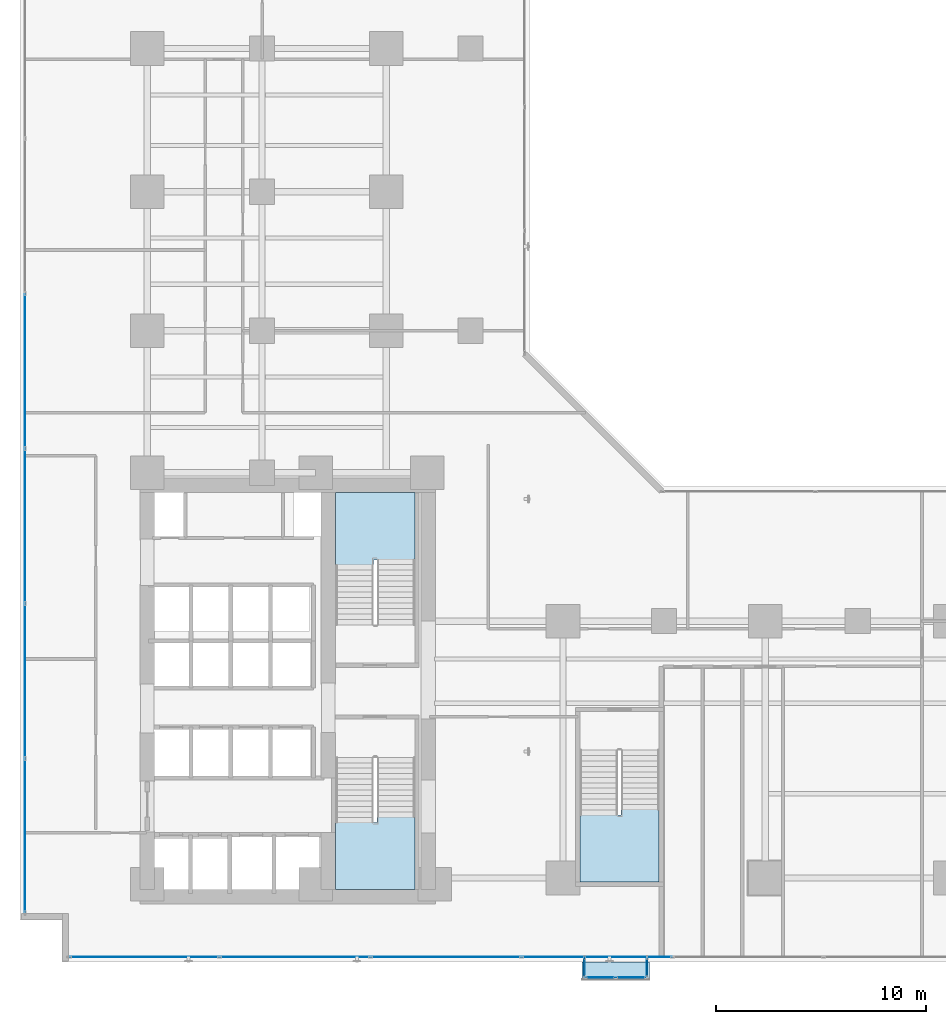
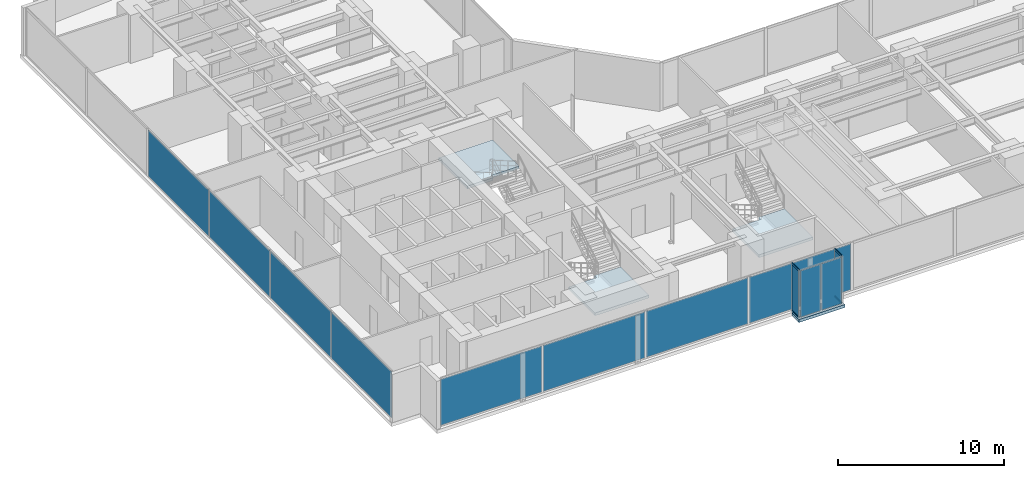
# One storey, part 20 of 27: 12 plates, 4 members, 4 slabs, 8 elements without a shape of their own.
"""IFC4 building model written with IfcOpenShell, lengths in metres."""

from ifc_helpers import new_model, si_unit, direction, frame, origin, origin_with_axes, origin_2d, place, context, subcontext, project, spatial, polyline, rectangle, hollow_rectangle, outline, extrude, source, transform, mapped, material, layer, layer_set, material_profile, profile_set, type_object, element, aggregate, save


model = new_model("IFC4")

# Units and contexts
model_context = context("Model", 3, precision=1e-05, world=origin(), true_north=direction((0.0, 1.0)))
body_context = subcontext(model_context, "Body", "Model", "MODEL_VIEW")
ifc_project = project(units=[si_unit("LENGTHUNIT", "METRE"), si_unit("AREAUNIT", "SQUARE_METRE"), si_unit("VOLUMEUNIT", "CUBIC_METRE"), si_unit("PLANEANGLEUNIT", "RADIAN"), si_unit("MASSUNIT", "GRAM", prefix="KILO")], contexts=[model_context])

# Site, building, storey
site_placement = place(None, origin())
site = spatial("IfcSite", under=ifc_project, at=site_placement, CompositionType="ELEMENT")
building_placement = place(site_placement, origin())
building = spatial("IfcBuilding", under=site, at=building_placement, Name="Kolvaren Waterfront Exchange", CompositionType="ELEMENT")
storey_placement = place(building_placement, frame((0.0, 0.0, 33.39990234375)))
storey = spatial("IfcBuildingStorey", under=building, at=storey_placement, Name="L08", CompositionType="ELEMENT", Elevation=33.39990234375)

# Curtain wall, members
ifc_material_1 = material(Name="Anodised bronze aluminium 6063-T6", Category="aluminium")
ifc_layer_1 = layer(ifc_material_1, 0.219970703125, Name="Anodised bronze aluminium 6063-T6")
ifc_layer_set_1 = layer_set([ifc_layer_1], Name="Anodised bronze aluminium 6063-T6")
curtain_wall_type_1 = type_object("IfcCurtainWallType", Name="ARC-CW-SYS3", PredefinedType="USERDEFINED", material=ifc_layer_set_1)
curtain_wall_1_placement = place(storey_placement, origin())
curtain_wall_1 = element("IfcCurtainWall", 1, at=curtain_wall_1_placement, inside=storey, type_object=curtain_wall_type_1, Name="L08 stick curtain wall CW3 (CW-L08-BOX-W)", ObjectType="STICK CURTAIN WALL", PredefinedType="USERDEFINED")
ifc_material_profile = material_profile(ifc_material_1, hollow_rectangle(XDim=0.06494140625, YDim=0.1298828125, WallThickness=0.00390625, at=origin_2d()), Name="ALU-TRN-130x65x4")
ifc_profile_set = profile_set([ifc_material_profile], Name="Anodised bronze aluminium 6063-T6")
member_type = type_object("IfcMemberType", Name="ARC-CWT-130", PredefinedType="USERDEFINED", material=ifc_profile_set)
shared_shape_1 = source(origin_with_axes(), body_context, "Body", "SweptSolid", [
    extrude(hollow_rectangle(XDim=0.06494140625, YDim=0.1298828125, WallThickness=0.00390625, at=origin_2d()), origin(), (0.0, 0.0, 1.0), 0.830078125),
])
member_1_placement = place(storey_placement, frame((28.2099609375, 1.364990234375, 0.03271484375), z_axis=(0.0, -1.0, 0.0), x_axis=(1.0, 0.0, 0.0)))
member_1 = element("IfcMember", 2, at=member_1_placement, type_object=member_type, Name="CW3 transom 1.1", ObjectType="TRANSOM", PredefinedType="USERDEFINED", context=body_context, shape_type="MappedRepresentation", body=[
    mapped(shared_shape_1, transform((0.0, 0.0, 0.0), x_axis=(1.0, 0.0, 0.0), y_axis=(0.0, 1.0, 0.0), z_axis=(0.0, 0.0, 1.0), scale=1.0)),
])
member_2_placement = place(storey_placement, frame((28.2099609375, 1.364990234375, 3.507568359375), z_axis=(0.0, -1.0, 0.0), x_axis=(1.0, 0.0, 0.0)))
member_2 = element("IfcMember", 3, at=member_2_placement, type_object=member_type, Name="CW3 transom 1.2", ObjectType="TRANSOM", PredefinedType="USERDEFINED", context=body_context, shape_type="MappedRepresentation", body=[
    mapped(shared_shape_1, transform((0.0, 0.0, 0.0), x_axis=(1.0, 0.0, 0.0), y_axis=(0.0, 1.0, 0.0), z_axis=(0.0, 0.0, 1.0), scale=1.0)),
])

curtain_wall_2_placement = place(storey_placement, origin())
curtain_wall_2 = element("IfcCurtainWall", 4, at=curtain_wall_2_placement, inside=storey, type_object=curtain_wall_type_1, Name="L08 stick curtain wall CW3 (CW-L08-BOX-E)", ObjectType="STICK CURTAIN WALL", PredefinedType="USERDEFINED")
member_3_placement = place(storey_placement, frame((31.18994140625, 0.534912109375, 0.03271484375), z_axis=(0.0, 1.0, 0.0), x_axis=(-1.0, 0.0, 0.0)))
member_3 = element("IfcMember", 5, at=member_3_placement, type_object=member_type, Name="CW3 transom 1.1", ObjectType="TRANSOM", PredefinedType="USERDEFINED", context=body_context, shape_type="MappedRepresentation", body=[
    mapped(shared_shape_1, transform((0.0, 0.0, 0.0), x_axis=(1.0, 0.0, 0.0), y_axis=(0.0, 1.0, 0.0), z_axis=(0.0, 0.0, 1.0), scale=1.0)),
])
member_4_placement = place(storey_placement, frame((31.18994140625, 0.534912109375, 3.507568359375), z_axis=(0.0, 1.0, 0.0), x_axis=(-1.0, 0.0, 0.0)))
member_4 = element("IfcMember", 6, at=member_4_placement, type_object=member_type, Name="CW3 transom 1.2", ObjectType="TRANSOM", PredefinedType="USERDEFINED", context=body_context, shape_type="MappedRepresentation", body=[
    mapped(shared_shape_1, transform((0.0, 0.0, 0.0), x_axis=(1.0, 0.0, 0.0), y_axis=(0.0, 1.0, 0.0), z_axis=(0.0, 0.0, 1.0), scale=1.0)),
])

# Stair, slab
ifc_material_2 = material(Name="Concrete C40/50", Category="concrete")
stair_type = type_object("IfcStairType", Name="ARC-STAIR-3800", PredefinedType="HALF_TURN_STAIR", material=ifc_material_2)
stair_1_placement = place(storey_placement, origin())
stair_1 = element("IfcStair", 7, at=stair_1_placement, inside=storey, type_object=stair_type, Name="L08 Smoke-proof exit stair ST1", PredefinedType="HALF_TURN_STAIR")
ifc_layer_2 = layer(ifc_material_2, 0.199951171875, Name="Concrete C40/50")
ifc_layer_set_2 = layer_set([ifc_layer_2], Name="Concrete C40/50")
slab_type_1 = type_object("IfcSlabType", Name="STR-LANDING-200", PredefinedType="LANDING", material=ifc_layer_set_2)
slab_1_placement = place(storey_placement, frame((0.0, 0.0, 1.776123046875)))
slab_1 = element("IfcSlab", 8, at=slab_1_placement, type_object=slab_type_1, Name="ST1 landing 1", PredefinedType="LANDING", context=body_context, shape_type="SweptSolid", body=[
    extrude(outline(polyline([(16.39990234375, 7.840087890625), (16.39990234375, 4.64990234375), (20.159912109375, 4.64990234375), (20.159912109375, 8.10009765625), (18.360107421875, 8.10009765625), (18.360107421875, 7.840087890625), (16.39990234375, 7.840087890625)])), origin(), (0.0, 0.0, 1.0), 0.199951171875),
])
aggregate(stair_1, [slab_1])

stair_2_placement = place(storey_placement, origin())
stair_2 = element("IfcStair", 9, at=stair_2_placement, inside=storey, type_object=stair_type, Name="L08 Smoke-proof exit stair ST2", PredefinedType="HALF_TURN_STAIR")
slab_2_placement = place(storey_placement, frame((0.0, 0.0, 1.776123046875)))
slab_2 = element("IfcSlab", 10, at=slab_2_placement, type_object=slab_type_1, Name="ST2 landing 1", PredefinedType="LANDING", context=body_context, shape_type="SweptSolid", body=[
    extrude(outline(polyline([(20.159912109375, 20.31005859375), (20.159912109375, 23.5), (16.39990234375, 23.5), (16.39990234375, 20.050048828125), (18.199951171875, 20.050048828125), (18.199951171875, 20.31005859375), (20.159912109375, 20.31005859375)])), origin(), (0.0, 0.0, 1.0), 0.199951171875),
])
aggregate(stair_2, [slab_2])

stair_3_placement = place(storey_placement, origin())
stair_3 = element("IfcStair", 11, at=stair_3_placement, inside=storey, type_object=stair_type, Name="L08 Exit stair ST3", PredefinedType="HALF_TURN_STAIR")
slab_3_placement = place(storey_placement, frame((0.0, 0.0, 1.776123046875)))
slab_3 = element("IfcSlab", 12, at=slab_3_placement, type_object=slab_type_1, Name="ST3 landing 1", PredefinedType="LANDING", context=body_context, shape_type="SweptSolid", body=[
    extrude(outline(polyline([(28.0, 8.18994140625), (28.0, 5.0), (31.760009765625, 5.0), (31.760009765625, 8.449951171875), (29.9599609375, 8.449951171875), (29.9599609375, 8.18994140625), (28.0, 8.18994140625)])), origin(), (0.0, 0.0, 1.0), 0.199951171875),
])
aggregate(stair_3, [slab_3])

# Slab
ifc_layer_3 = layer(ifc_material_2, 0.219970703125, Name="Concrete C40/50")
ifc_layer_set_3 = layer_set([ifc_layer_3], Name="Concrete C40/50")
slab_type_2 = type_object("IfcSlabType", Name="STR-TERR-220", PredefinedType="FLOOR", material=ifc_layer_set_3)
slab_4_placement = place(storey_placement, frame((0.0, 0.0, -0.219970703125)))
element("IfcSlab", 13, at=slab_4_placement, inside=storey, type_object=slab_type_2, Name="L08 projecting bay-box floor strip", PredefinedType="FLOOR", context=body_context, shape_type="SweptSolid", body=[
    extrude(outline(polyline([(28.10009765625, 0.35009765625), (31.300048828125, 0.35009765625), (31.300048828125, 1.199951171875), (28.10009765625, 1.199951171875), (28.10009765625, 0.35009765625)])), origin(), (0.0, 0.0, 1.0), 0.219970703125),
])

# Curtain wall, plates
ifc_layer_4 = layer(ifc_material_1, 0.219970703125, Name="Anodised bronze aluminium 6063-T6")
ifc_layer_set_4 = layer_set([ifc_layer_4], Name="Anodised bronze aluminium 6063-T6")
curtain_wall_type_2 = type_object("IfcCurtainWallType", Name="ARC-CW-SYS1", PredefinedType="USERDEFINED", material=ifc_layer_set_4)
curtain_wall_3_placement = place(storey_placement, origin())
curtain_wall_3 = element("IfcCurtainWall", 14, at=curtain_wall_3_placement, inside=storey, type_object=curtain_wall_type_2, Name="L08 stick curtain wall CW1 (CW-L08-S)", ObjectType="STICK CURTAIN WALL", PredefinedType="USERDEFINED")
ifc_material_3 = material(Name="Bronze solar control vision glass", Category="aluminium")
ifc_layer_5 = layer(ifc_material_3, 0.028076171875, Name="Bronze solar control vision glass")
ifc_layer_set_5 = layer_set([ifc_layer_5], Name="Bronze solar control vision glass")
plate_type_1 = type_object("IfcPlateType", Name="ARC-CWP-28", PredefinedType="CURTAIN_PANEL", material=ifc_layer_set_5)
shared_shape_2 = source(origin_with_axes(), body_context, "Body", "SweptSolid", [
    extrude(rectangle(XDim=7.054931640625, YDim=0.028076171875, at=origin_2d()), origin(), (0.0, 0.0, 1.0), 3.389892578125),
])
plate_1_placement = place(storey_placement, frame((7.3076171875, 1.43994140625, 0.0751953125), z_axis=(0.0, 0.0, 1.0), x_axis=(1.0, 0.0, 0.0)))
plate_1 = element("IfcPlate", 15, at=plate_1_placement, type_object=plate_type_1, Name="CW1 panel 1.1", PredefinedType="CURTAIN_PANEL", context=body_context, shape_type="MappedRepresentation", body=[
    mapped(shared_shape_2, transform((0.0, 0.0, 0.0), x_axis=(1.0, 0.0, 0.0), y_axis=(0.0, 1.0, 0.0), z_axis=(0.0, 0.0, 1.0), scale=1.0)),
])
shared_shape_3 = source(origin_with_axes(), body_context, "Body", "SweptSolid", [
    extrude(rectangle(XDim=7.094970703125, YDim=0.028076171875, at=origin_2d()), origin(), (0.0, 0.0, 1.0), 3.389892578125),
])
plate_2_placement = place(storey_placement, frame((14.46240234375, 1.43994140625, 0.0751953125), z_axis=(0.0, 0.0, 1.0), x_axis=(1.0, 0.0, 0.0)))
plate_2 = element("IfcPlate", 16, at=plate_2_placement, type_object=plate_type_1, Name="CW1 panel 2.1", PredefinedType="CURTAIN_PANEL", context=body_context, shape_type="MappedRepresentation", body=[
    mapped(shared_shape_3, transform((0.0, 0.0, 0.0), x_axis=(1.0, 0.0, 0.0), y_axis=(0.0, 1.0, 0.0), z_axis=(0.0, 0.0, 1.0), scale=1.0)),
])
plate_3_placement = place(storey_placement, frame((21.637451171875, 1.43994140625, 0.0751953125), z_axis=(0.0, 0.0, 1.0), x_axis=(1.0, 0.0, 0.0)))
plate_3 = element("IfcPlate", 17, at=plate_3_placement, type_object=plate_type_1, Name="CW1 panel 3.1", PredefinedType="CURTAIN_PANEL", context=body_context, shape_type="MappedRepresentation", body=[
    mapped(shared_shape_3, transform((0.0, 0.0, 0.0), x_axis=(1.0, 0.0, 0.0), y_axis=(0.0, 1.0, 0.0), z_axis=(0.0, 0.0, 1.0), scale=1.0)),
])
plate_4_placement = place(storey_placement, frame((28.8125, 1.43994140625, 0.0751953125), z_axis=(0.0, 0.0, 1.0), x_axis=(1.0, 0.0, 0.0)))
plate_4 = element("IfcPlate", 18, at=plate_4_placement, type_object=plate_type_1, Name="CW1 panel 4.1", PredefinedType="CURTAIN_PANEL", context=body_context, shape_type="MappedRepresentation", body=[
    mapped(shared_shape_3, transform((0.0, 0.0, 0.0), x_axis=(1.0, 0.0, 0.0), y_axis=(0.0, 1.0, 0.0), z_axis=(0.0, 0.0, 1.0), scale=1.0)),
])
aggregate(curtain_wall_3, [plate_1, plate_2, plate_3, plate_4])

ifc_material_4 = material(Name="Anodised aluminium 6063-T6", Category="aluminium")
ifc_layer_6 = layer(ifc_material_4, 0.219970703125, Name="Anodised aluminium 6063-T6")
ifc_layer_set_6 = layer_set([ifc_layer_6], Name="Anodised aluminium 6063-T6")
curtain_wall_type_3 = type_object("IfcCurtainWallType", Name="ARC-CW-SYS2", PredefinedType="USERDEFINED", material=ifc_layer_set_6)
curtain_wall_4_placement = place(storey_placement, origin())
curtain_wall_4 = element("IfcCurtainWall", 19, at=curtain_wall_4_placement, inside=storey, type_object=curtain_wall_type_3, Name="L08 stick curtain wall CW2 (CW-L08-W)", ObjectType="STICK CURTAIN WALL", PredefinedType="USERDEFINED")
ifc_material_5 = material(Name="Acoustic laminated vision glass", Category="glass")
ifc_layer_7 = layer(ifc_material_5, 0.031982421875, Name="Acoustic laminated vision glass")
ifc_layer_set_7 = layer_set([ifc_layer_7], Name="Acoustic laminated vision glass")
plate_type_2 = type_object("IfcPlateType", Name="ARC-CWP-32", PredefinedType="CURTAIN_PANEL", material=ifc_layer_set_7)
shared_shape_4 = source(origin_with_axes(), body_context, "Body", "SweptSolid", [
    extrude(rectangle(XDim=7.24658203125, YDim=0.031982421875, at=origin_2d()), origin(), (0.0, 0.0, 1.0), 3.389892578125),
])
plate_5_placement = place(storey_placement, frame((1.639892578125, 7.203369140625, 0.0751953125), z_axis=(0.0, 0.0, 1.0), x_axis=(0.0, 1.0, 0.0)))
plate_5 = element("IfcPlate", 20, at=plate_5_placement, type_object=plate_type_2, Name="CW2 panel 1.1", PredefinedType="CURTAIN_PANEL", context=body_context, shape_type="MappedRepresentation", body=[
    mapped(shared_shape_4, transform((0.0, 0.0, 0.0), x_axis=(1.0, 0.0, 0.0), y_axis=(0.0, 1.0, 0.0), z_axis=(0.0, 0.0, 1.0), scale=1.0)),
])
shared_shape_5 = source(origin_with_axes(), body_context, "Body", "SweptSolid", [
    extrude(rectangle(XDim=7.28662109375, YDim=0.031982421875, at=origin_2d()), origin(), (0.0, 0.0, 1.0), 3.389892578125),
])
plate_6_placement = place(storey_placement, frame((1.639892578125, 14.550048828125, 0.0751953125), z_axis=(0.0, 0.0, 1.0), x_axis=(0.0, 1.0, 0.0)))
plate_6 = element("IfcPlate", 21, at=plate_6_placement, type_object=plate_type_2, Name="CW2 panel 2.1", PredefinedType="CURTAIN_PANEL", context=body_context, shape_type="MappedRepresentation", body=[
    mapped(shared_shape_5, transform((0.0, 0.0, 0.0), x_axis=(1.0, 0.0, 0.0), y_axis=(0.0, 1.0, 0.0), z_axis=(0.0, 0.0, 1.0), scale=1.0)),
])
plate_7_placement = place(storey_placement, frame((1.639892578125, 21.916748046875, 0.0751953125), z_axis=(0.0, 0.0, 1.0), x_axis=(0.0, 1.0, 0.0)))
plate_7 = element("IfcPlate", 22, at=plate_7_placement, type_object=plate_type_2, Name="CW2 panel 3.1", PredefinedType="CURTAIN_PANEL", context=body_context, shape_type="MappedRepresentation", body=[
    mapped(shared_shape_5, transform((0.0, 0.0, 0.0), x_axis=(1.0, 0.0, 0.0), y_axis=(0.0, 1.0, 0.0), z_axis=(0.0, 0.0, 1.0), scale=1.0)),
])
plate_8_placement = place(storey_placement, frame((1.639892578125, 29.283447265625, 0.0751953125), z_axis=(0.0, 0.0, 1.0), x_axis=(0.0, 1.0, 0.0)))
plate_8 = element("IfcPlate", 23, at=plate_8_placement, type_object=plate_type_2, Name="CW2 panel 4.1", PredefinedType="CURTAIN_PANEL", context=body_context, shape_type="MappedRepresentation", body=[
    mapped(shared_shape_5, transform((0.0, 0.0, 0.0), x_axis=(1.0, 0.0, 0.0), y_axis=(0.0, 1.0, 0.0), z_axis=(0.0, 0.0, 1.0), scale=1.0)),
])
aggregate(curtain_wall_4, [plate_5, plate_6, plate_7, plate_8])

# Plate
ifc_material_6 = material(Name="Bronze tinted bay-box vision glass", Category="aluminium")
ifc_layer_8 = layer(ifc_material_6, 0.02392578125, Name="Bronze tinted bay-box vision glass")
ifc_layer_set_8 = layer_set([ifc_layer_8], Name="Bronze tinted bay-box vision glass")
plate_type_3 = type_object("IfcPlateType", Name="ARC-CWP-24", PredefinedType="CURTAIN_PANEL", material=ifc_layer_set_8)
shared_shape_6 = source(origin_with_axes(), body_context, "Body", "SweptSolid", [
    extrude(rectangle(XDim=0.830078125, YDim=0.02392578125, at=origin_2d()), origin(), (0.0, 0.0, 1.0), 3.409912109375),
])
plate_9_placement = place(storey_placement, frame((28.2099609375, 0.949951171875, 0.06494140625), z_axis=(0.0, 0.0, 1.0), x_axis=(0.0, -1.0, 0.0)))
plate_9 = element("IfcPlate", 24, at=plate_9_placement, type_object=plate_type_3, Name="CW3 panel 1.1", PredefinedType="CURTAIN_PANEL", context=body_context, shape_type="MappedRepresentation", body=[
    mapped(shared_shape_6, transform((0.0, 0.0, 0.0), x_axis=(1.0, 0.0, 0.0), y_axis=(0.0, 1.0, 0.0), z_axis=(0.0, 0.0, 1.0), scale=1.0)),
])

aggregate(curtain_wall_1, [member_1, member_2, plate_9])

plate_10_placement = place(storey_placement, frame((31.18994140625, 0.949951171875, 0.06494140625), z_axis=(0.0, 0.0, 1.0), x_axis=(0.0, 1.0, 0.0)))
plate_10 = element("IfcPlate", 25, at=plate_10_placement, type_object=plate_type_3, Name="CW3 panel 1.1", PredefinedType="CURTAIN_PANEL", context=body_context, shape_type="MappedRepresentation", body=[
    mapped(shared_shape_6, transform((0.0, 0.0, 0.0), x_axis=(1.0, 0.0, 0.0), y_axis=(0.0, 1.0, 0.0), z_axis=(0.0, 0.0, 1.0), scale=1.0)),
])

aggregate(curtain_wall_2, [member_3, member_4, plate_10])

# Curtain wall, plates
curtain_wall_5_placement = place(storey_placement, origin())
curtain_wall_5 = element("IfcCurtainWall", 26, at=curtain_wall_5_placement, inside=storey, type_object=curtain_wall_type_1, Name="L08 stick curtain wall CW3 (CW-L08-BOX)", ObjectType="STICK CURTAIN WALL", PredefinedType="USERDEFINED")
shared_shape_7 = source(origin_with_axes(), body_context, "Body", "SweptSolid", [
    extrude(rectangle(XDim=1.37744140625, YDim=0.02392578125, at=origin_2d()), origin(), (0.0, 0.0, 1.0), 3.409912109375),
])
plate_11_placement = place(storey_placement, frame((28.9736328125, 0.4599609375, 0.06494140625), z_axis=(0.0, 0.0, 1.0), x_axis=(1.0, 0.0, 0.0)))
plate_11 = element("IfcPlate", 27, at=plate_11_placement, type_object=plate_type_3, Name="CW3 panel 1.1", PredefinedType="CURTAIN_PANEL", context=body_context, shape_type="MappedRepresentation", body=[
    mapped(shared_shape_7, transform((0.0, 0.0, 0.0), x_axis=(1.0, 0.0, 0.0), y_axis=(0.0, 1.0, 0.0), z_axis=(0.0, 0.0, 1.0), scale=1.0)),
])
plate_12_placement = place(storey_placement, frame((30.42626953125, 0.4599609375, 0.06494140625), z_axis=(0.0, 0.0, 1.0), x_axis=(1.0, 0.0, 0.0)))
plate_12 = element("IfcPlate", 28, at=plate_12_placement, type_object=plate_type_3, Name="CW3 panel 2.1", PredefinedType="CURTAIN_PANEL", context=body_context, shape_type="MappedRepresentation", body=[
    mapped(shared_shape_7, transform((0.0, 0.0, 0.0), x_axis=(1.0, 0.0, 0.0), y_axis=(0.0, 1.0, 0.0), z_axis=(0.0, 0.0, 1.0), scale=1.0)),
])
aggregate(curtain_wall_5, [plate_11, plate_12])

save(model, "model.ifc")
